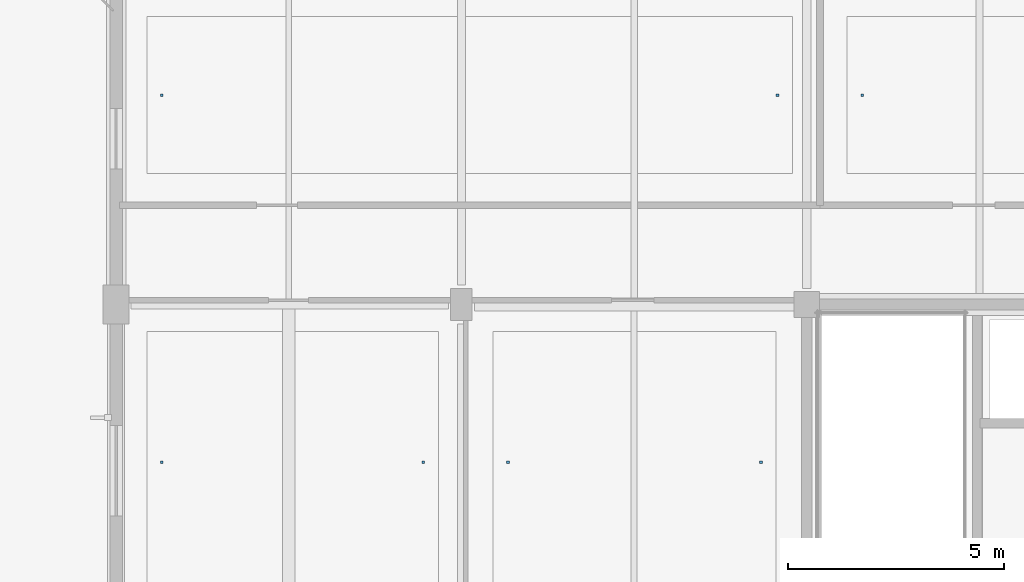
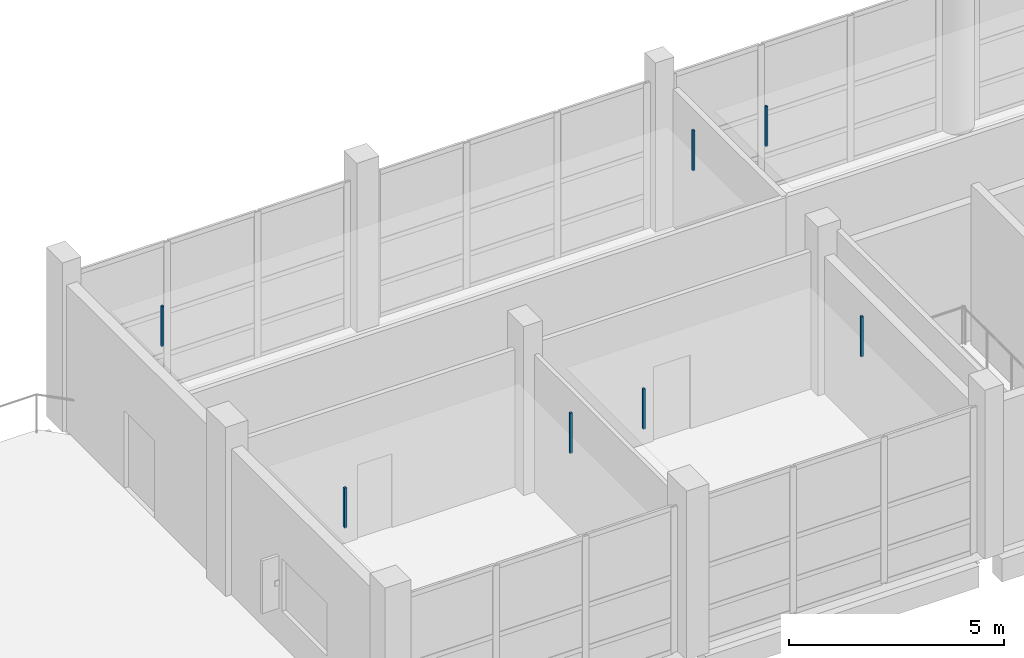
# One storey, part 83 of 107: 7 discrete accessories.
"""IFC4 building model written with IfcOpenShell, lengths in metres."""

from ifc_helpers import new_model, si_unit, direction, frame, origin, origin_2d, place, context, subcontext, project, spatial, rectangle, extrude, material, type_object, element, save


model = new_model("IFC4")

# Units and contexts
model_context = context("Model", 3, precision=1e-05, world=origin(), true_north=direction((0.0, 1.0)))
body_context = subcontext(model_context, "Body", "Model", "MODEL_VIEW")
ifc_project = project(units=[si_unit("LENGTHUNIT", "METRE"), si_unit("AREAUNIT", "SQUARE_METRE"), si_unit("VOLUMEUNIT", "CUBIC_METRE"), si_unit("PLANEANGLEUNIT", "RADIAN"), si_unit("MASSUNIT", "GRAM", prefix="KILO")], contexts=[model_context])

# Site, building, storey
site_placement = place(None, origin())
site = spatial("IfcSite", under=ifc_project, at=site_placement, CompositionType="ELEMENT")
building_placement = place(site_placement, origin())
building = spatial("IfcBuilding", under=site, at=building_placement, Name="Khelvaren Railside Concert Hall", CompositionType="ELEMENT")
storey_placement = place(building_placement, frame((0.0, 0.0, 15.0)))
storey = spatial("IfcBuildingStorey", under=building, at=storey_placement, Name="L03", CompositionType="ELEMENT", Elevation=15.0)

# Discrete accessories
ifc_material = material(Name="Galvanised steel acoustic ceiling hanger rod", Category="steel")
discrete_accessory_type = type_object("IfcDiscreteAccessoryType", Name="BRK62", PredefinedType="BRACKET", material=ifc_material)
for number, where, z_axis, x_axis, name in (
    (1, (105.06005859375, 12.449951171875, 3.43017578125), (0.0, 0.0, 1.0), (1.0, 0.0, 0.0), "Acoustic Ceiling Suspension Bracket 90-1"),
    (2, (119.323974609375, 12.449951171875, 3.43017578125), (0.0, 0.0, 1.0), (1.0, 0.0, 0.0), "Acoustic Ceiling Suspension Bracket 90-2"),
    (3, (121.283935546875, 12.449951171875, 3.43017578125), (0.0, 0.0, 1.0), (1.0, 0.0, 0.0), "Acoustic Ceiling Suspension Bracket 91-1"),
    (4, (105.06005859375, 3.949951171875, 3.43017578125), (0.0, 0.0, 1.0), (1.0, 0.0, 0.0), "Acoustic Ceiling Suspension Bracket 93-1"),
    (5, (111.1201171875, 3.949951171875, 3.43017578125), (0.0, 0.0, 1.0), (1.0, 0.0, 0.0), "Acoustic Ceiling Suspension Bracket 93-2"),
    (6, (113.080078125, 3.949951171875, 3.43017578125), (0.0, 0.0, 1.0), (1.0, 0.0, 0.0), "Acoustic Ceiling Suspension Bracket 94-1"),
    (7, (118.93994140625, 3.949951171875, 3.43017578125), (0.0, 0.0, 1.0), (1.0, 0.0, 0.0), "Acoustic Ceiling Suspension Bracket 94-2"),
):
    element("IfcDiscreteAccessory", number, at=place(storey_placement, frame(where, z_axis=z_axis, x_axis=x_axis)), inside=storey, type_object=discrete_accessory_type, Name=name, PredefinedType="BRACKET", context=body_context, shape_type="SweptSolid", body=[
        extrude(rectangle(XDim=0.06005859375, YDim=0.06005859375, at=origin_2d()), origin(), (0.0, 0.0, 1.0), 1.139892578125),
    ])

save(model, "model.ifc")
